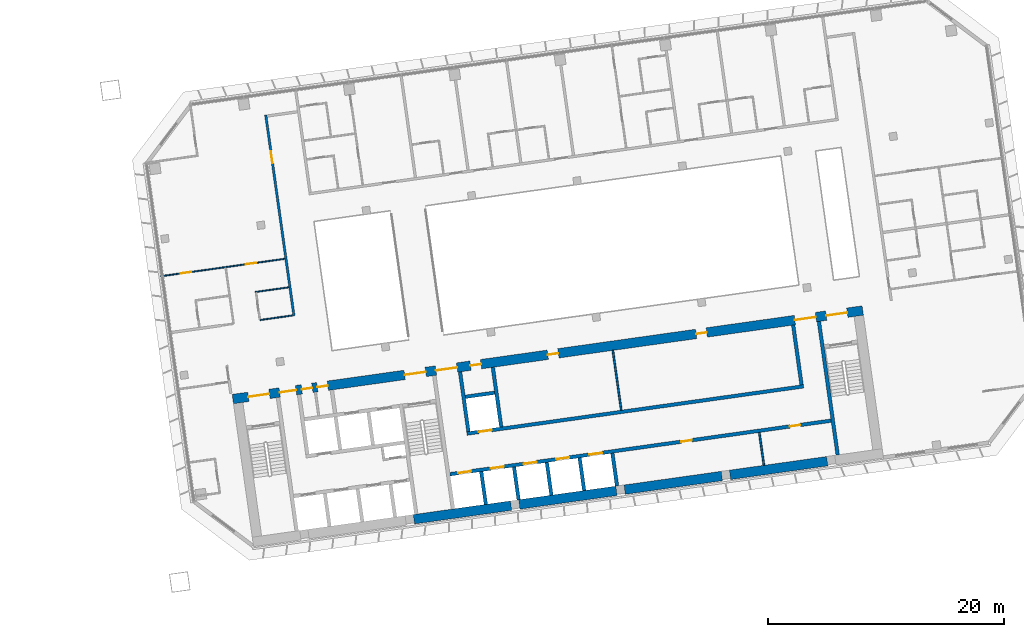
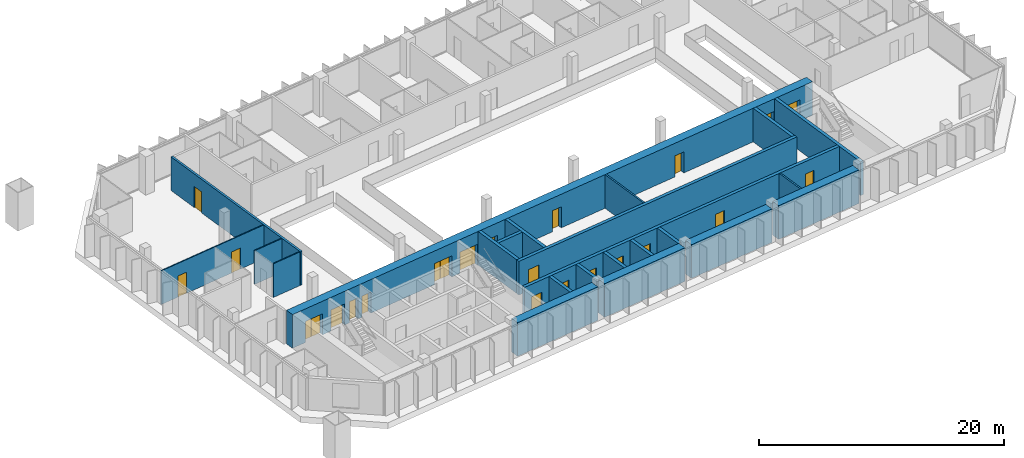
# One storey, part 19 of 25: 23 walls, 22 doors, 22 openings.
"""IFC4 building model written with IfcOpenShell, lengths in metres."""

import ifcopenshell
import ifcopenshell.guid

model = None  # the IFC model being written
_history = None  # IfcOwnerHistory: only IFC2X3 demands one
_inside = {}  # id of a spatial element -> (the spatial element, [elements in it])
_under = {}  # id of a project, library or spatial element -> (it, [spatial elements below it])
_declared = {}  # id of a project -> (the project, [libraries it declares])
_typed = {}  # id of a type object -> (the type object, [elements of that type])
_made_of = {}  # id of a material, layer set ... -> (it, [elements and type objects made of it])


def new_model(schema):
    """Start an empty IFC model of exactly this schema.

    Asked for "IFC4X3", IfcOpenShell would pick the latest addendum, in which some entities
    have other attributes; the version numbers below select the first issue.
    IFC2X3 requires an IfcOwnerHistory on every rooted entity: one is made here for all.
    """
    global model, _history
    if schema == "IFC4X3":
        model = ifcopenshell.file(schema_version=(4, 3, 0, 0))
    else:
        model = ifcopenshell.file(schema=schema)
    _inside.clear()
    _under.clear()
    _declared.clear()
    _typed.clear()
    _made_of.clear()
    _history = None
    if model.schema == "IFC2X3":
        org = make("IfcOrganization", Name="unknown")
        user = make(
            "IfcPersonAndOrganization",
            ThePerson=make("IfcPerson", FamilyName="unknown"),
            TheOrganization=org,
        )
        app = make(
            "IfcApplication",
            ApplicationDeveloper=org,
            Version="unknown",
            ApplicationFullName="unknown",
            ApplicationIdentifier="unknown",
        )
        _history = make(
            "IfcOwnerHistory",
            OwningUser=user,
            OwningApplication=app,
            ChangeAction="ADDED",
            CreationDate=0,
        )
    return model


def make(cls, **values):
    """One entity of the class cls with the attributes given. An attribute that is None is left unset."""
    return model.create_entity(
        cls, **{name: value for name, value in values.items() if value is not None}
    )


def rooted(cls, **values):
    """An entity with a GlobalId (a new one), such as an element, a storey or a relation."""
    return make(cls, GlobalId=ifcopenshell.guid.new(), OwnerHistory=_history, **values)


def si_unit(unit_type, name, prefix=None):
    """IfcSIUnit, for example si_unit("LENGTHUNIT", "METRE", prefix="MILLI")."""
    return make("IfcSIUnit", UnitType=unit_type, Prefix=prefix, Name=name)


def assignment(units):
    """IfcUnitAssignment: the units of a project."""
    return None if units is None else make("IfcUnitAssignment", Units=units)


def point(xyz):
    """IfcCartesianPoint."""
    return None if xyz is None else make("IfcCartesianPoint", Coordinates=xyz)


def direction(xyz):
    """IfcDirection."""
    return None if xyz is None else make("IfcDirection", DirectionRatios=xyz)


def frame(location, z_axis=None, x_axis=None):
    """IfcAxis2Placement3D, a coordinate frame: its origin and axes. An axis left out is left unset."""
    return make(
        "IfcAxis2Placement3D",
        Location=point(location),
        Axis=direction(z_axis),
        RefDirection=direction(x_axis),
    )


def frame_2d(location, x_axis=None):
    """IfcAxis2Placement2D, a coordinate frame in the plane: its origin and x axis."""
    return make(
        "IfcAxis2Placement2D", Location=point(location), RefDirection=direction(x_axis)
    )


def origin():
    """The frame at (0, 0, 0) with its axes left unset."""
    return frame((0.0, 0.0, 0.0))


def place(relative_to, where):
    """IfcLocalPlacement: puts the frame where relative to a parent placement (None: the world)."""
    return make(
        "IfcLocalPlacement", PlacementRelTo=relative_to, RelativePlacement=where
    )


def context(
    kind, dimensions, precision=None, world=None, true_north=None, identifier=None
):
    """IfcGeometricRepresentationContext, for example the 3D "Model" context."""
    return make(
        "IfcGeometricRepresentationContext",
        ContextIdentifier=identifier,
        ContextType=kind,
        CoordinateSpaceDimension=dimensions,
        Precision=precision,
        WorldCoordinateSystem=world,
        TrueNorth=true_north,
    )


def subcontext(parent, identifier, kind, view, scale=None):
    """IfcGeometricRepresentationSubContext, for example "Body" below "Model"."""
    return make(
        "IfcGeometricRepresentationSubContext",
        ContextIdentifier=identifier,
        ContextType=kind,
        ParentContext=parent,
        TargetScale=scale,
        TargetView=view,
    )


def project(units=None, contexts=None):
    """IfcProject with its units and contexts."""
    return rooted(
        "IfcProject",
        Name="project",
        RepresentationContexts=contexts,
        UnitsInContext=assignment(units),
    )


def spatial(cls, under=None, at=None, **own):
    """A site, building, storey or space (cls), placed at a placement, below another one or the project."""
    s = rooted(cls, ObjectPlacement=at, **own)
    if under is not None:
        _under.setdefault(under.id(), (under, []))[1].append(s)
    return s


def profile(cls, at=None, kind="AREA", **sizes):
    """A parametric profile (cls). Its sizes go by their IFC names, for example OverallWidth=200.0."""
    return make(cls, ProfileType=kind, Position=at, **sizes)


def rectangle(**sizes):
    """IfcRectangleProfileDef."""
    return profile("IfcRectangleProfileDef", **sizes)


def extrude(swept, where, along, depth):
    """IfcExtrudedAreaSolid: the profile swept, set in the frame where, extruded along a direction by depth."""
    return make(
        "IfcExtrudedAreaSolid",
        SweptArea=swept,
        Position=where,
        ExtrudedDirection=direction(along),
        Depth=depth,
    )


def shape(context_of_items, identifier, shape_type, items):
    """IfcShapeRepresentation: the items that make up one representation, for example the "Body"."""
    return make(
        "IfcShapeRepresentation",
        ContextOfItems=context_of_items,
        RepresentationIdentifier=identifier,
        RepresentationType=shape_type,
        Items=items,
    )


def material(Name=None, Category=None):
    """IfcMaterial."""
    return make("IfcMaterial", Name=Name, Category=Category)


def layer(
    of_material, thickness, ventilated=None, Name=None, Category=None, Priority=None
):
    """IfcMaterialLayer: one layer of a wall or slab, of a material (None: an air gap)."""
    return make(
        "IfcMaterialLayer",
        Material=of_material,
        LayerThickness=thickness,
        IsVentilated=ventilated,
        Name=Name,
        Category=Category,
        Priority=Priority,
    )


def layer_set(layers, Name=None):
    """IfcMaterialLayerSet."""
    return make("IfcMaterialLayerSet", MaterialLayers=layers, LayerSetName=Name)


def made_of(thing, what):
    """Note that an element or type object is made of a material, layer set ...; save() writes the relation."""
    if what is not None:
        _made_of.setdefault(what.id(), (what, []))[1].append(thing)
    return thing


def type_object(cls, material=None, **own):
    """A type object (cls), such as IfcWallType, which elements share."""
    return made_of(rooted(cls, **own), material)


def element(
    cls,
    number,
    at=None,
    inside=None,
    cuts=None,
    type_object=None,
    material=None,
    context=None,
    identifier="Body",
    shape_type=None,
    held_by="IfcProductDefinitionShape",
    body=None,
    shapes=None,
    **own,
):
    """One element of the class cls, such as IfcWall. Its Tag is "e" and its number.

    at: its placement. inside: the storey or other place that contains it. cuts: it is an
    opening in that element (IfcRelVoidsElement). A single representation is given by context,
    identifier, shape_type and body (its items); several are given by shapes. held_by: the class
    of the entity that holds the representations. save() writes the other relations.
    """
    e = rooted(cls, Tag="e%d" % number, ObjectPlacement=at, **own)
    if body is not None:
        shapes = [shape(context, identifier, shape_type, body)]
    if shapes is not None:
        e.Representation = make(held_by, Representations=shapes)
    if inside is not None:
        _inside.setdefault(inside.id(), (inside, []))[1].append(e)
    if cuts is not None:
        rooted(
            "IfcRelVoidsElement", RelatingBuildingElement=cuts, RelatedOpeningElement=e
        )
    if type_object is not None:
        _typed.setdefault(type_object.id(), (type_object, []))[1].append(e)
    return made_of(e, material)


def fill(opening, filler):
    """IfcRelFillsElement: the door or window that sits in an opening."""
    return rooted(
        "IfcRelFillsElement",
        RelatingOpeningElement=opening,
        RelatedBuildingElement=filler,
    )


def aggregate(whole, parts):
    """IfcRelAggregates: a whole, such as a stair, and the parts it consists of."""
    return rooted("IfcRelAggregates", RelatingObject=whole, RelatedObjects=parts)


def save(model, path):
    """Write the relations noted so far, then the file.

    IfcRelAggregates (storeys below a building ...), IfcRelContainedInSpatialStructure (elements
    in a storey), IfcRelDefinesByType, IfcRelAssociatesMaterial and IfcRelDeclares: one each for
    every whole, place, type object, material and project.
    """
    for whole, parts in _under.values():
        aggregate(whole, parts)
    for where, things in _inside.values():
        rooted(
            "IfcRelContainedInSpatialStructure",
            RelatedElements=things,
            RelatingStructure=where,
        )
    for kind, things in _typed.values():
        rooted("IfcRelDefinesByType", RelatedObjects=things, RelatingType=kind)
    for what, things in _made_of.values():
        rooted("IfcRelAssociatesMaterial", RelatedObjects=things, RelatingMaterial=what)
    for by, libraries in _declared.values():
        rooted("IfcRelDeclares", RelatingContext=by, RelatedDefinitions=libraries)
    model.write(path)


model = new_model("IFC4")

# Units and contexts
model_context = context("Model", 3, precision=1e-05, world=origin(), true_north=direction((0.0, 1.0)))
body_context = subcontext(model_context, "Body", "Model", "MODEL_VIEW")
ifc_project = project(units=[si_unit("LENGTHUNIT", "METRE"), si_unit("AREAUNIT", "SQUARE_METRE"), si_unit("VOLUMEUNIT", "CUBIC_METRE"), si_unit("PLANEANGLEUNIT", "RADIAN"), si_unit("MASSUNIT", "GRAM", prefix="KILO")], contexts=[model_context])

# Site, building, storey
site_placement = place(None, origin())
site = spatial("IfcSite", under=ifc_project, at=site_placement, CompositionType="ELEMENT")
building_placement = place(site_placement, origin())
building = spatial("IfcBuilding", under=site, at=building_placement, Name="Mirante Cascada Hotel Towers", CompositionType="ELEMENT")
storey_placement = place(building_placement, frame((0.0, 0.0, 102.5)))
storey = spatial("IfcBuildingStorey", under=building, at=storey_placement, Name="L22", CompositionType="ELEMENT", Elevation=102.5)

# Wall, opening, door
ifc_material_1 = material(Name="Fire-rated plasterboard on metal studs")
ifc_layer_1 = layer(ifc_material_1, 0.2)
ifc_layer_set_1 = layer_set([ifc_layer_1], Name="Compartment wall 200 EI 120")
wall_type_1 = type_object("IfcWallType", Name="Compartment wall 200 EI 120", PredefinedType="PARTITIONING", material=ifc_layer_set_1)
wall_1_placement = place(storey_placement, frame((38.216, 16.4227, 0.0), z_axis=(0.0, 0.0, 1.0), x_axis=(0.139172, -0.9902682, 0.0)))
wall_1 = element("IfcWall", 1, at=wall_1_placement, inside=storey, type_object=wall_type_1, Name="Wall 2-L22-38", PredefinedType="PARTITIONING", context=body_context, shape_type="SweptSolid", body=[
    extrude(rectangle(XDim=17.15, YDim=0.2, at=frame_2d((8.575, 0.0))), origin(), (0.0, 0.0, 1.0), 3.35),
])
opening_1_placement = place(wall_1_placement, frame((3.1, 0.0, 0.0)))
opening_1 = element("IfcOpeningElement", 2, at=opening_1_placement, cuts=wall_1, Name="Opening D2-L22-31", PredefinedType="OPENING", context=body_context, shape_type="SweptSolid", body=[
    extrude(rectangle(XDim=1.0, YDim=2.1, at=frame_2d((0.5, 1.05))), frame((0.0, 0.1, 0.0), z_axis=(0.0, -1.0, 0.0), x_axis=(1.0, 0.0, 0.0)), (0.0, 0.0, 1.0), 0.2),
])
ifc_material_2 = material(Name="Fire-rated timber door leaf", Category="wood")
door_type_1 = type_object("IfcDoorType", Name="Entrance door DG1 1000x2100 EI 60", OperationType="SINGLE_SWING_LEFT", PredefinedType="DOOR", material=ifc_material_2)
door_1_placement = place(opening_1_placement, frame((1.0, 0.0, 0.0), z_axis=(0.0, 0.0, 1.0), x_axis=(-1.0, 0.0, 0.0)))
door_1 = element("IfcDoor", 3, at=door_1_placement, inside=storey, type_object=door_type_1, Name="Door D2-L22-31", OperationType="SINGLE_SWING_RIGHT", OverallHeight=2.1, OverallWidth=1.0, PredefinedType="DOOR", context=body_context, shape_type="SweptSolid", body=[
    extrude(rectangle(XDim=1.0, YDim=2.1, at=frame_2d((0.5, 1.05))), frame((0.0, 0.025, 0.0), z_axis=(0.0, -1.0, 0.0), x_axis=(1.0, 0.0, 0.0)), (0.0, 0.0, 1.0), 0.05),
])
fill(opening_1, door_1)

# Walls
ifc_material_3 = material(Name="Masonry block", Category="masonry")
ifc_layer_2 = layer(ifc_material_3, 0.15)
ifc_layer_set_2 = layer_set([ifc_layer_2], Name="Core room partition 150 block EI 30")
wall_type_2 = type_object("IfcWallType", Name="Core room partition 150 block EI 30", PredefinedType="PARTITIONING", material=ifc_layer_set_2)
wall_2_placement = place(storey_placement, frame((80.349, -13.2018, 0.0), z_axis=(0.0, 0.0, 1.0), x_axis=(-0.139176, 0.9902677, 0.0)))
element("IfcWall", 4, at=wall_2_placement, inside=storey, type_object=wall_type_2, Name="Core wall partition T2 L22 5", PredefinedType="PARTITIONING", context=body_context, shape_type="SweptSolid", body=[
    extrude(rectangle(XDim=2.8001, YDim=0.15, at=frame_2d((1.4, 0.0))), origin(), (0.0, 0.0, 1.0), 3.35),
])
wall_3_placement = place(storey_placement, frame((68.2822, -8.5358, 0.0), z_axis=(0.0, 0.0, 1.0), x_axis=(-0.1391755, 0.9902677, 0.0)))
element("IfcWall", 5, at=wall_3_placement, inside=storey, type_object=wall_type_2, Name="Core wall partition T2 L22 6", PredefinedType="PARTITIONING", context=body_context, shape_type="SweptSolid", body=[
    extrude(rectangle(XDim=5.1, YDim=0.15, at=frame_2d((2.55, 0.0))), origin(), (0.0, 0.0, 1.0), 3.35),
])
ifc_material_4 = material(Name="Plasterboard on metal studs")
ifc_layer_3 = layer(ifc_material_4, 0.1)
ifc_layer_set_3 = layer_set([ifc_layer_3], Name="Partition 100")
wall_type_3 = type_object("IfcWallType", Name="Partition 100", PredefinedType="PARTITIONING", material=ifc_layer_set_3)
wall_4_placement = place(storey_placement, frame((40.4671, -0.5289, 0.0), z_axis=(0.0, 0.0, 1.0), x_axis=(-0.9902645, -0.1391984, 0.0)))
element("IfcWall", 6, at=wall_4_placement, inside=storey, type_object=wall_type_3, Name="Wall 2-L22-10", PredefinedType="PARTITIONING", context=body_context, shape_type="SweptSolid", body=[
    extrude(rectangle(XDim=2.74, YDim=0.1, at=frame_2d((1.37, 0.0))), origin(), (0.0, 0.0, 1.0), 3.35),
])
wall_5_placement = place(storey_placement, frame((37.3406, 1.4552, 0.0), z_axis=(0.0, 0.0, 1.0), x_axis=(0.9902649, 0.1391957, 0.0)))
element("IfcWall", 7, at=wall_5_placement, inside=storey, type_object=wall_type_3, Name="Wall 2-L22-13", PredefinedType="PARTITIONING", context=body_context, shape_type="SweptSolid", body=[
    extrude(rectangle(XDim=2.8499, YDim=0.1, at=frame_2d((1.425, 0.0))), origin(), (0.0, 0.0, 1.0), 3.35),
])

# Wall, openings, doors
wall_6_placement = place(storey_placement, frame((39.8242, 4.2615, 0.0), z_axis=(0.0, 0.0, 1.0), x_axis=(-0.9902686, -0.1391691, 0.0)))
wall_6 = element("IfcWall", 8, at=wall_6_placement, inside=storey, type_object=wall_type_3, Name="Wall 2-L22-16", PredefinedType="PARTITIONING", context=body_context, shape_type="SweptSolid", body=[
    extrude(rectangle(XDim=10.6001, YDim=0.1, at=frame_2d((5.3, 0.0))), origin(), (0.0, 0.0, 1.0), 3.35),
])
opening_2_placement = place(wall_6_placement, frame((7.975, 0.0, 0.0)))
opening_2 = element("IfcOpeningElement", 9, at=opening_2_placement, cuts=wall_6, Name="Opening D2-L22-05", PredefinedType="OPENING", context=body_context, shape_type="SweptSolid", body=[
    extrude(rectangle(XDim=0.9, YDim=2.1, at=frame_2d((0.45, 1.05))), frame((0.0, 0.05, 0.0), z_axis=(0.0, -1.0, 0.0), x_axis=(1.0, 0.0, 0.0)), (0.0, 0.0, 1.0), 0.1),
])
opening_3_placement = place(wall_6_placement, frame((2.425, 0.0, 0.0)))
opening_3 = element("IfcOpeningElement", 10, at=opening_3_placement, cuts=wall_6, Name="Opening D2-L22-06", PredefinedType="OPENING", context=body_context, shape_type="SweptSolid", body=[
    extrude(rectangle(XDim=0.9, YDim=2.1, at=frame_2d((0.45, 1.05))), frame((0.0, 0.05, 0.0), z_axis=(0.0, -1.0, 0.0), x_axis=(1.0, 0.0, 0.0)), (0.0, 0.0, 1.0), 0.1),
])
ifc_material_5 = material(Name="Timber door leaf", Category="wood")
door_type_2 = type_object("IfcDoorType", Name="Room door DG3 900x2100", OperationType="SINGLE_SWING_LEFT", PredefinedType="DOOR", material=ifc_material_5)
door_2_placement = place(opening_2_placement, frame((0.9, 0.0, 0.0), z_axis=(0.0, 0.0, 1.0), x_axis=(-1.0, 0.0, 0.0)))
door_2 = element("IfcDoor", 11, at=door_2_placement, inside=storey, type_object=door_type_2, Name="Door D2-L22-05", OperationType="SINGLE_SWING_RIGHT", OverallHeight=2.1, OverallWidth=0.9, PredefinedType="DOOR", context=body_context, shape_type="SweptSolid", body=[
    extrude(rectangle(XDim=0.9, YDim=2.1, at=frame_2d((0.45, 1.05))), frame((0.0, 0.025, 0.0), z_axis=(0.0, -1.0, 0.0), x_axis=(1.0, 0.0, 0.0)), (0.0, 0.0, 1.0), 0.05),
])
fill(opening_2, door_2)
door_3_placement = place(opening_3_placement, frame((0.9, 0.0, 0.0), z_axis=(0.0, 0.0, 1.0), x_axis=(-1.0, 0.0, 0.0)))
door_3 = element("IfcDoor", 12, at=door_3_placement, inside=storey, type_object=door_type_2, Name="Door D2-L22-06", OperationType="SINGLE_SWING_RIGHT", OverallHeight=2.1, OverallWidth=0.9, PredefinedType="DOOR", context=body_context, shape_type="SweptSolid", body=[
    extrude(rectangle(XDim=0.9, YDim=2.1, at=frame_2d((0.45, 1.05))), frame((0.0, 0.025, 0.0), z_axis=(0.0, -1.0, 0.0), x_axis=(1.0, 0.0, 0.0)), (0.0, 0.0, 1.0), 0.05),
])
fill(opening_3, door_3)

# Wall
ifc_material_6 = material(Name="Concrete C50/60", Category="concrete")
ifc_layer_4 = layer(ifc_material_6, 0.3)
ifc_layer_set_4 = layer_set([ifc_layer_4], Name="RC core wall 300 C50/60")
wall_type_4 = type_object("IfcWallType", Name="RC core wall 300 C50/60", PredefinedType="SHEAR", material=ifc_layer_set_4)
wall_7_placement = place(storey_placement, frame((86.5877, -12.325, 0.0), z_axis=(0.0, 0.0, 1.0), x_axis=(-0.1391749, 0.9902678, 0.0)))
element("IfcWall", 13, at=wall_7_placement, inside=storey, type_object=wall_type_4, Name="Core wall T2:L22:8", PredefinedType="SHEAR", context=body_context, shape_type="SweptSolid", body=[
    extrude(rectangle(XDim=11.4, YDim=0.3, at=frame_2d((5.7, 0.0))), origin(), (0.0, 0.0, 1.0), 3.35),
])

# Wall, openings, doors
wall_8_placement = place(storey_placement, frame((53.7953, -13.9547, 0.0), z_axis=(0.0, 0.0, 1.0), x_axis=(0.990268, 0.1391733, 0.0)))
wall_8 = element("IfcWall", 14, at=wall_8_placement, inside=storey, type_object=wall_type_4, Name="Core wall T2:L22:25", PredefinedType="SHEAR", context=body_context, shape_type="SweptSolid", body=[
    extrude(rectangle(XDim=32.5501, YDim=0.3, at=frame_2d((16.275, 0.0))), origin(), (0.0, 0.0, 1.0), 3.35),
])
opening_4_placement = place(wall_8_placement, frame((0.7, 0.0, 0.0)))
opening_4 = element("IfcOpeningElement", 15, at=opening_4_placement, cuts=wall_8, Name="Opening LD", PredefinedType="OPENING", context=body_context, shape_type="SweptSolid", body=[
    extrude(rectangle(XDim=1.1, YDim=2.1, at=frame_2d((0.55, 1.05))), frame((0.0, 0.15, 0.0), z_axis=(0.0, -1.0, 0.0), x_axis=(1.0, 0.0, 0.0)), (0.0, 0.0, 1.0), 0.3),
])
opening_5_placement = place(wall_8_placement, frame((3.5, 0.0, 0.0)))
opening_5 = element("IfcOpeningElement", 16, at=opening_5_placement, cuts=wall_8, Name="Opening LD", PredefinedType="OPENING", context=body_context, shape_type="SweptSolid", body=[
    extrude(rectangle(XDim=1.1, YDim=2.1, at=frame_2d((0.55, 1.05))), frame((0.0, 0.15, 0.0), z_axis=(0.0, -1.0, 0.0), x_axis=(1.0, 0.0, 0.0)), (0.0, 0.0, 1.0), 0.3),
])
opening_6_placement = place(wall_8_placement, frame((6.3, 0.0, 0.0)))
opening_6 = element("IfcOpeningElement", 17, at=opening_6_placement, cuts=wall_8, Name="Opening LD", PredefinedType="OPENING", context=body_context, shape_type="SweptSolid", body=[
    extrude(rectangle(XDim=1.1, YDim=2.1, at=frame_2d((0.55, 1.05))), frame((0.0, 0.15, 0.0), z_axis=(0.0, -1.0, 0.0), x_axis=(1.0, 0.0, 0.0)), (0.0, 0.0, 1.0), 0.3),
])
opening_7_placement = place(wall_8_placement, frame((9.1, 0.0, 0.0)))
opening_7 = element("IfcOpeningElement", 18, at=opening_7_placement, cuts=wall_8, Name="Opening LD", PredefinedType="OPENING", context=body_context, shape_type="SweptSolid", body=[
    extrude(rectangle(XDim=1.1, YDim=2.1, at=frame_2d((0.55, 1.05))), frame((0.0, 0.15, 0.0), z_axis=(0.0, -1.0, 0.0), x_axis=(1.0, 0.0, 0.0)), (0.0, 0.0, 1.0), 0.3),
])
opening_8_placement = place(wall_8_placement, frame((11.9, 0.0, 0.0)))
opening_8 = element("IfcOpeningElement", 19, at=opening_8_placement, cuts=wall_8, Name="Opening LD", PredefinedType="OPENING", context=body_context, shape_type="SweptSolid", body=[
    extrude(rectangle(XDim=1.1, YDim=2.1, at=frame_2d((0.55, 1.05))), frame((0.0, 0.15, 0.0), z_axis=(0.0, -1.0, 0.0), x_axis=(1.0, 0.0, 0.0)), (0.0, 0.0, 1.0), 0.3),
])
opening_9_placement = place(wall_8_placement, frame((19.75, 0.0, 0.0)))
opening_9 = element("IfcOpeningElement", 20, at=opening_9_placement, cuts=wall_8, Name="Opening D2-22-C26", PredefinedType="OPENING", context=body_context, shape_type="SweptSolid", body=[
    extrude(rectangle(XDim=0.9, YDim=2.1, at=frame_2d((0.45, 1.05))), frame((0.0, 0.15, 0.0), z_axis=(0.0, -1.0, 0.0), x_axis=(1.0, 0.0, 0.0)), (0.0, 0.0, 1.0), 0.3),
])
opening_10_placement = place(wall_8_placement, frame((29.025, 0.0, 0.0)))
opening_10 = element("IfcOpeningElement", 21, at=opening_10_placement, cuts=wall_8, Name="Opening D2-22-C27", PredefinedType="OPENING", context=body_context, shape_type="SweptSolid", body=[
    extrude(rectangle(XDim=0.9, YDim=2.1, at=frame_2d((0.45, 1.05))), frame((0.0, 0.15, 0.0), z_axis=(0.0, -1.0, 0.0), x_axis=(1.0, 0.0, 0.0)), (0.0, 0.0, 1.0), 0.3),
])
ifc_material_7 = material(Name="Hollow metal fire door leaf")
door_type_3 = type_object("IfcDoorType", Name="Fire door 900x2100 FD60", OperationType="NOTDEFINED", PredefinedType="DOOR", material=ifc_material_7)
door_4_placement = place(opening_9_placement, frame((0.9, 0.0, 0.0), z_axis=(0.0, 0.0, 1.0), x_axis=(-1.0, 0.0, 0.0)))
door_4 = element("IfcDoor", 22, at=door_4_placement, inside=storey, type_object=door_type_3, Name="Room door T2 L22 26", OperationType="SINGLE_SWING_RIGHT", OverallHeight=2.1, OverallWidth=0.9, PredefinedType="DOOR", context=body_context, shape_type="SweptSolid", body=[
    extrude(rectangle(XDim=0.9, YDim=2.1, at=frame_2d((0.45, 1.05))), frame((0.0, 0.025, 0.0), z_axis=(0.0, -1.0, 0.0), x_axis=(1.0, 0.0, 0.0)), (0.0, 0.0, 1.0), 0.05),
])
fill(opening_9, door_4)
door_5_placement = place(opening_10_placement, frame((0.9, 0.0, 0.0), z_axis=(0.0, 0.0, 1.0), x_axis=(-1.0, 0.0, 0.0)))
door_5 = element("IfcDoor", 23, at=door_5_placement, inside=storey, type_object=door_type_3, Name="Room door T2 L22 27", OperationType="SINGLE_SWING_RIGHT", OverallHeight=2.1, OverallWidth=0.9, PredefinedType="DOOR", context=body_context, shape_type="SweptSolid", body=[
    extrude(rectangle(XDim=0.9, YDim=2.1, at=frame_2d((0.45, 1.05))), frame((0.0, 0.025, 0.0), z_axis=(0.0, -1.0, 0.0), x_axis=(1.0, 0.0, 0.0)), (0.0, 0.0, 1.0), 0.05),
])
fill(opening_10, door_5)
ifc_material_8 = material(Name="Stainless steel", Category="steel")
door_type_4 = type_object("IfcDoorType", Name="Lift landing door 1100x2100 EI 120", OperationType="DOUBLE_DOOR_SLIDING", PredefinedType="DOOR", material=ifc_material_8)
door_6_placement = place(opening_4_placement, origin())
door_6 = element("IfcDoor", 24, at=door_6_placement, inside=storey, type_object=door_type_4, Name="Lift landing door LR2-1 L22", OperationType="DOUBLE_DOOR_SLIDING", OverallHeight=2.1, OverallWidth=1.1, PredefinedType="DOOR", context=body_context, shape_type="SweptSolid", body=[
    extrude(rectangle(XDim=0.545, YDim=2.1, at=frame_2d((0.2725, 1.05))), frame((0.0, 0.025, 0.0), z_axis=(0.0, -1.0, 0.0), x_axis=(1.0, 0.0, 0.0)), (0.0, 0.0, 1.0), 0.05),
    extrude(rectangle(XDim=0.545, YDim=2.1, at=frame_2d((0.8275, 1.05))), frame((0.0, 0.025, 0.0), z_axis=(0.0, -1.0, 0.0), x_axis=(1.0, 0.0, 0.0)), (0.0, 0.0, 1.0), 0.05),
])
fill(opening_4, door_6)
door_7_placement = place(opening_5_placement, origin())
door_7 = element("IfcDoor", 25, at=door_7_placement, inside=storey, type_object=door_type_4, Name="Lift landing door LR2-2 L22", OperationType="DOUBLE_DOOR_SLIDING", OverallHeight=2.1, OverallWidth=1.1, PredefinedType="DOOR", context=body_context, shape_type="SweptSolid", body=[
    extrude(rectangle(XDim=0.545, YDim=2.1, at=frame_2d((0.2725, 1.05))), frame((0.0, 0.025, 0.0), z_axis=(0.0, -1.0, 0.0), x_axis=(1.0, 0.0, 0.0)), (0.0, 0.0, 1.0), 0.05),
    extrude(rectangle(XDim=0.545, YDim=2.1, at=frame_2d((0.8275, 1.05))), frame((0.0, 0.025, 0.0), z_axis=(0.0, -1.0, 0.0), x_axis=(1.0, 0.0, 0.0)), (0.0, 0.0, 1.0), 0.05),
])
fill(opening_5, door_7)
door_8_placement = place(opening_6_placement, origin())
door_8 = element("IfcDoor", 26, at=door_8_placement, inside=storey, type_object=door_type_4, Name="Lift landing door SV2-1 L22", OperationType="DOUBLE_DOOR_SLIDING", OverallHeight=2.1, OverallWidth=1.1, PredefinedType="DOOR", context=body_context, shape_type="SweptSolid", body=[
    extrude(rectangle(XDim=0.545, YDim=2.1, at=frame_2d((0.2725, 1.05))), frame((0.0, 0.025, 0.0), z_axis=(0.0, -1.0, 0.0), x_axis=(1.0, 0.0, 0.0)), (0.0, 0.0, 1.0), 0.05),
    extrude(rectangle(XDim=0.545, YDim=2.1, at=frame_2d((0.8275, 1.05))), frame((0.0, 0.025, 0.0), z_axis=(0.0, -1.0, 0.0), x_axis=(1.0, 0.0, 0.0)), (0.0, 0.0, 1.0), 0.05),
])
fill(opening_6, door_8)
door_9_placement = place(opening_7_placement, origin())
door_9 = element("IfcDoor", 27, at=door_9_placement, inside=storey, type_object=door_type_4, Name="Lift landing door SV2-2 L22", OperationType="DOUBLE_DOOR_SLIDING", OverallHeight=2.1, OverallWidth=1.1, PredefinedType="DOOR", context=body_context, shape_type="SweptSolid", body=[
    extrude(rectangle(XDim=0.545, YDim=2.1, at=frame_2d((0.2725, 1.05))), frame((0.0, 0.025, 0.0), z_axis=(0.0, -1.0, 0.0), x_axis=(1.0, 0.0, 0.0)), (0.0, 0.0, 1.0), 0.05),
    extrude(rectangle(XDim=0.545, YDim=2.1, at=frame_2d((0.8275, 1.05))), frame((0.0, 0.025, 0.0), z_axis=(0.0, -1.0, 0.0), x_axis=(1.0, 0.0, 0.0)), (0.0, 0.0, 1.0), 0.05),
])
fill(opening_7, door_9)
door_10_placement = place(opening_8_placement, origin())
door_10 = element("IfcDoor", 28, at=door_10_placement, inside=storey, type_object=door_type_4, Name="Lift landing door SV2-3 L22", OperationType="DOUBLE_DOOR_SLIDING", OverallHeight=2.1, OverallWidth=1.1, PredefinedType="DOOR", context=body_context, shape_type="SweptSolid", body=[
    extrude(rectangle(XDim=0.545, YDim=2.1, at=frame_2d((0.2725, 1.05))), frame((0.0, 0.025, 0.0), z_axis=(0.0, -1.0, 0.0), x_axis=(1.0, 0.0, 0.0)), (0.0, 0.0, 1.0), 0.05),
    extrude(rectangle(XDim=0.545, YDim=2.1, at=frame_2d((0.8275, 1.05))), frame((0.0, 0.025, 0.0), z_axis=(0.0, -1.0, 0.0), x_axis=(1.0, 0.0, 0.0)), (0.0, 0.0, 1.0), 0.05),
])
fill(opening_8, door_10)

# Walls
for number, where, z_axis, x_axis, name in (
    (29, (56.8301, -16.5072, 0.0), (0.0, 0.0, 1.0), (-0.139176, 0.9902677, 0.0), "Core wall T2:L22:26"),
    (30, (59.6029, -16.1175, 0.0), (0.0, 0.0, 1.0), (-0.139176, 0.9902677, 0.0), "Core wall T2:L22:27"),
    (31, (62.3756, -15.7278, 0.0), (0.0, 0.0, 1.0), (-0.139176, 0.9902677, 0.0), "Core wall T2:L22:28"),
    (32, (65.1484, -15.3381, 0.0), (0.0, 0.0, 1.0), (-0.139176, 0.9902677, 0.0), "Core wall T2:L22:29"),
):
    element("IfcWall", number, at=place(storey_placement, frame(where, z_axis=z_axis, x_axis=x_axis)), inside=storey, type_object=wall_type_4, Name=name, PredefinedType="SHEAR", context=body_context, shape_type="SweptSolid", body=[
        extrude(rectangle(XDim=2.8001, YDim=0.3, at=frame_2d((1.4, 0.0))), origin(), (0.0, 0.0, 1.0), 3.35),
    ])
wall_9_placement = place(storey_placement, frame((67.9211, -14.9484, 0.0), z_axis=(0.0, 0.0, 1.0), x_axis=(-0.139181, 0.990267, 0.0)))
element("IfcWall", 33, at=wall_9_placement, inside=storey, type_object=wall_type_4, Name="Core wall T2:L22:30", PredefinedType="SHEAR", context=body_context, shape_type="SweptSolid", body=[
    extrude(rectangle(XDim=2.8, YDim=0.3, at=frame_2d((1.4, 0.0))), origin(), (0.0, 0.0, 1.0), 3.35),
])

# Wall, opening, door
wall_10_placement = place(storey_placement, frame((55.2315, -10.5214, 0.0), z_axis=(0.0, 0.0, 1.0), x_axis=(0.9902682, 0.1391722, 0.0)))
wall_10 = element("IfcWall", 34, at=wall_10_placement, inside=storey, type_object=wall_type_4, Name="Core wall T2:L22:32", PredefinedType="SHEAR", context=body_context, shape_type="SweptSolid", body=[
    extrude(rectangle(XDim=28.75, YDim=0.3, at=frame_2d((14.375, 0.0))), origin(), (0.0, 0.0, 1.0), 3.35),
])
opening_11_placement = place(wall_10_placement, frame((1.0, 0.0, 0.0)))
opening_11 = element("IfcOpeningElement", 35, at=opening_11_placement, cuts=wall_10, Name="Opening LD", PredefinedType="OPENING", context=body_context, shape_type="SweptSolid", body=[
    extrude(rectangle(XDim=1.1, YDim=2.1, at=frame_2d((0.55, 1.05))), frame((0.0, 0.15, 0.0), z_axis=(0.0, -1.0, 0.0), x_axis=(1.0, 0.0, 0.0)), (0.0, 0.0, 1.0), 0.3),
])
door_11_placement = place(opening_11_placement, origin())
door_11 = element("IfcDoor", 36, at=door_11_placement, inside=storey, type_object=door_type_4, Name="Lift landing door LR2-3 L22", OperationType="DOUBLE_DOOR_SLIDING", OverallHeight=2.1, OverallWidth=1.1, PredefinedType="DOOR", context=body_context, shape_type="SweptSolid", body=[
    extrude(rectangle(XDim=0.545, YDim=2.1, at=frame_2d((0.2725, 1.05))), frame((0.0, 0.025, 0.0), z_axis=(0.0, -1.0, 0.0), x_axis=(1.0, 0.0, 0.0)), (0.0, 0.0, 1.0), 0.05),
    extrude(rectangle(XDim=0.545, YDim=2.1, at=frame_2d((0.8275, 1.05))), frame((0.0, 0.025, 0.0), z_axis=(0.0, -1.0, 0.0), x_axis=(1.0, 0.0, 0.0)), (0.0, 0.0, 1.0), 0.05),
])
fill(opening_11, door_11)

# Walls
for number, where, z_axis, x_axis, name in (
    (37, (55.3592, -10.352, 0.0), (0.0, 0.0, 1.0), (-0.1391755, 0.9902677, 0.0), "Core wall T2:L22:33"),
    (38, (83.5323, -6.3925, 0.0), (0.0, 0.0, 1.0), (-0.1391755, 0.9902677, 0.0), "Core wall T2:L22:34"),
    (39, (58.1319, -9.9623, 0.0), (0.0, 0.0, 1.0), (-0.1391755, 0.9902677, 0.0), "Core wall T2:L22:35"),
):
    element("IfcWall", number, at=place(storey_placement, frame(where, z_axis=z_axis, x_axis=x_axis)), inside=storey, type_object=wall_type_4, Name=name, PredefinedType="SHEAR", context=body_context, shape_type="SweptSolid", body=[
        extrude(rectangle(XDim=5.1, YDim=0.3, at=frame_2d((2.55, 0.0))), origin(), (0.0, 0.0, 1.0), 3.35),
    ])
wall_11_placement = place(storey_placement, frame((55.0971, -7.4098, 0.0), z_axis=(0.0, 0.0, 1.0), x_axis=(0.9902701, 0.1391586, 0.0)))
element("IfcWall", 40, at=wall_11_placement, inside=storey, type_object=wall_type_4, Name="Core wall T2:L22:36", PredefinedType="SHEAR", context=body_context, shape_type="SweptSolid", body=[
    extrude(rectangle(XDim=2.5, YDim=0.3, at=frame_2d((1.25, 0.0))), origin(), (0.0, 0.0, 1.0), 3.35),
])
ifc_material_9 = material(Name="Concrete C50/60", Category="concrete")
ifc_layer_5 = layer(ifc_material_9, 0.8)
ifc_layer_set_5 = layer_set([ifc_layer_5], Name="RC core wall 800 C50/60")
wall_type_5 = type_object("IfcWallType", Name="RC core wall 800 C50/60", PredefinedType="SHEAR", material=ifc_layer_set_5)
wall_12_placement = place(storey_placement, frame((50.7461, -17.7661, 0.0), z_axis=(0.0, 0.0, 1.0), x_axis=(0.9902686, 0.1391692, 0.0)))
element("IfcWall", 41, at=wall_12_placement, inside=storey, type_object=wall_type_5, Name="Core wall T2:L22:1.3", PredefinedType="SHEAR", context=body_context, shape_type="SweptSolid", body=[
    extrude(rectangle(XDim=8.3, YDim=0.8, at=frame_2d((4.15, 0.0))), origin(), (0.0, 0.0, 1.0), 3.35),
])
for number, where, z_axis, x_axis, name in (
    (42, (59.6585, -16.5136, 0.0), (0.0, 0.0, 1.0), (0.9902672, 0.1391793, 0.0), "Core wall T2:L22:1.4"),
    (43, (68.5709, -15.261, 0.0), (0.0, 0.0, 1.0), (0.9902689, 0.1391675, 0.0), "Core wall T2:L22:1.5"),
):
    element("IfcWall", number, at=place(storey_placement, frame(where, z_axis=z_axis, x_axis=x_axis)), inside=storey, type_object=wall_type_5, Name=name, PredefinedType="SHEAR", context=body_context, shape_type="SweptSolid", body=[
        extrude(rectangle(XDim=8.3001, YDim=0.8, at=frame_2d((4.15, 0.0))), origin(), (0.0, 0.0, 1.0), 3.35),
    ])
wall_13_placement = place(storey_placement, frame((77.4834, -14.0085, 0.0), z_axis=(0.0, 0.0, 1.0), x_axis=(0.990267, 0.139181, 0.0)))
element("IfcWall", 44, at=wall_13_placement, inside=storey, type_object=wall_type_5, Name="Core wall T2:L22:1.6", PredefinedType="SHEAR", context=body_context, shape_type="SweptSolid", body=[
    extrude(rectangle(XDim=8.3, YDim=0.8, at=frame_2d((4.15, 0.0))), origin(), (0.0, 0.0, 1.0), 3.35),
])

# Wall, openings, doors
wall_14_placement = place(storey_placement, frame((35.432, -7.5985, 0.0), z_axis=(0.0, 0.0, 1.0), x_axis=(0.9902681, 0.1391729, 0.0)))
wall_14 = element("IfcWall", 45, at=wall_14_placement, inside=storey, type_object=wall_type_5, Name="Core wall T2:L22:2", PredefinedType="SHEAR", context=body_context, shape_type="SweptSolid", body=[
    extrude(rectangle(XDim=53.8, YDim=0.8, at=frame_2d((26.9, 0.0))), origin(), (0.0, 0.0, 1.0), 3.35),
])
opening_12_placement = place(wall_14_placement, frame((1.325, 0.0, 0.0)))
opening_12 = element("IfcOpeningElement", 46, at=opening_12_placement, cuts=wall_14, Name="Opening D2-22-C14", PredefinedType="OPENING", context=body_context, shape_type="SweptSolid", body=[
    extrude(rectangle(XDim=1.8, YDim=2.1, at=frame_2d((0.9, 1.05))), frame((0.0, 0.4, 0.0), z_axis=(0.0, -1.0, 0.0), x_axis=(1.0, 0.0, 0.0)), (0.0, 0.0, 1.0), 0.8),
])
opening_13_placement = place(wall_14_placement, frame((14.675, 0.0, 0.0)))
opening_13 = element("IfcOpeningElement", 47, at=opening_13_placement, cuts=wall_14, Name="Opening D2-22-C16", PredefinedType="OPENING", context=body_context, shape_type="SweptSolid", body=[
    extrude(rectangle(XDim=1.8, YDim=2.1, at=frame_2d((0.9, 1.05))), frame((0.0, 0.4, 0.0), z_axis=(0.0, -1.0, 0.0), x_axis=(1.0, 0.0, 0.0)), (0.0, 0.0, 1.0), 0.8),
])
opening_14_placement = place(wall_14_placement, frame((50.675, 0.0, 0.0)))
opening_14 = element("IfcOpeningElement", 48, at=opening_14_placement, cuts=wall_14, Name="Opening D2-22-C18", PredefinedType="OPENING", context=body_context, shape_type="SweptSolid", body=[
    extrude(rectangle(XDim=1.8, YDim=2.1, at=frame_2d((0.9, 1.05))), frame((0.0, 0.4, 0.0), z_axis=(0.0, -1.0, 0.0), x_axis=(1.0, 0.0, 0.0)), (0.0, 0.0, 1.0), 0.8),
])
opening_15_placement = place(wall_14_placement, frame((4.0, 0.0, 0.0)))
opening_15 = element("IfcOpeningElement", 49, at=opening_15_placement, cuts=wall_14, Name="Opening D2-22-C19", PredefinedType="OPENING", context=body_context, shape_type="SweptSolid", body=[
    extrude(rectangle(XDim=1.4, YDim=2.1, at=frame_2d((0.7, 1.05))), frame((0.0, 0.4, 0.0), z_axis=(0.0, -1.0, 0.0), x_axis=(1.0, 0.0, 0.0)), (0.0, 0.0, 1.0), 0.8),
])
opening_16_placement = place(wall_14_placement, frame((17.35, 0.0, 0.0)))
opening_16 = element("IfcOpeningElement", 50, at=opening_16_placement, cuts=wall_14, Name="Opening D2-22-C20", PredefinedType="OPENING", context=body_context, shape_type="SweptSolid", body=[
    extrude(rectangle(XDim=1.8, YDim=2.1, at=frame_2d((0.9, 1.05))), frame((0.0, 0.4, 0.0), z_axis=(0.0, -1.0, 0.0), x_axis=(1.0, 0.0, 0.0)), (0.0, 0.0, 1.0), 0.8),
])
opening_17_placement = place(wall_14_placement, frame((48.0, 0.0, 0.0)))
opening_17 = element("IfcOpeningElement", 51, at=opening_17_placement, cuts=wall_14, Name="Opening D2-22-C21", PredefinedType="OPENING", context=body_context, shape_type="SweptSolid", body=[
    extrude(rectangle(XDim=1.8, YDim=2.1, at=frame_2d((0.9, 1.05))), frame((0.0, 0.4, 0.0), z_axis=(0.0, -1.0, 0.0), x_axis=(1.0, 0.0, 0.0)), (0.0, 0.0, 1.0), 0.8),
])
opening_18_placement = place(wall_14_placement, frame((5.8875, 0.0, 0.0)))
opening_18 = element("IfcOpeningElement", 52, at=opening_18_placement, cuts=wall_14, Name="Opening D2-22-C24", PredefinedType="OPENING", context=body_context, shape_type="SweptSolid", body=[
    extrude(rectangle(XDim=0.9, YDim=2.1, at=frame_2d((0.45, 1.05))), frame((0.0, 0.4, 0.0), z_axis=(0.0, -1.0, 0.0), x_axis=(1.0, 0.0, 0.0)), (0.0, 0.0, 1.0), 0.8),
])
opening_19_placement = place(wall_14_placement, frame((7.2125, 0.0, 0.0)))
opening_19 = element("IfcOpeningElement", 53, at=opening_19_placement, cuts=wall_14, Name="Opening D2-22-C25", PredefinedType="OPENING", context=body_context, shape_type="SweptSolid", body=[
    extrude(rectangle(XDim=0.9, YDim=2.1, at=frame_2d((0.45, 1.05))), frame((0.0, 0.4, 0.0), z_axis=(0.0, -1.0, 0.0), x_axis=(1.0, 0.0, 0.0)), (0.0, 0.0, 1.0), 0.8),
])
opening_20_placement = place(wall_14_placement, frame((20.3, 0.0, 0.0)))
opening_20 = element("IfcOpeningElement", 54, at=opening_20_placement, cuts=wall_14, Name="Opening D2-22-C28", PredefinedType="OPENING", context=body_context, shape_type="SweptSolid", body=[
    extrude(rectangle(XDim=0.9, YDim=2.1, at=frame_2d((0.45, 1.05))), frame((0.0, 0.4, 0.0), z_axis=(0.0, -1.0, 0.0), x_axis=(1.0, 0.0, 0.0)), (0.0, 0.0, 1.0), 0.8),
])
opening_21_placement = place(wall_14_placement, frame((26.9, 0.0, 0.0)))
opening_21 = element("IfcOpeningElement", 55, at=opening_21_placement, cuts=wall_14, Name="Opening D2-22-C29", PredefinedType="OPENING", context=body_context, shape_type="SweptSolid", body=[
    extrude(rectangle(XDim=0.9, YDim=2.1, at=frame_2d((0.45, 1.05))), frame((0.0, 0.4, 0.0), z_axis=(0.0, -1.0, 0.0), x_axis=(1.0, 0.0, 0.0)), (0.0, 0.0, 1.0), 0.8),
])
opening_22_placement = place(wall_14_placement, frame((39.575, 0.0, 0.0)))
opening_22 = element("IfcOpeningElement", 56, at=opening_22_placement, cuts=wall_14, Name="Opening D2-22-C30", PredefinedType="OPENING", context=body_context, shape_type="SweptSolid", body=[
    extrude(rectangle(XDim=0.9, YDim=2.1, at=frame_2d((0.45, 1.05))), frame((0.0, 0.4, 0.0), z_axis=(0.0, -1.0, 0.0), x_axis=(1.0, 0.0, 0.0)), (0.0, 0.0, 1.0), 0.8),
])
ifc_material_10 = material(Name="Hollow metal fire door leaf")
door_type_5 = type_object("IfcDoorType", Name="Double fire door 1400x2100 FD60", OperationType="DOUBLE_DOOR_SINGLE_SWING", PredefinedType="DOOR", material=ifc_material_10)
door_12_placement = place(opening_15_placement, origin())
door_12 = element("IfcDoor", 57, at=door_12_placement, inside=storey, type_object=door_type_5, Name="Exit door to gallery T2 L22 19", OperationType="DOUBLE_DOOR_SINGLE_SWING", OverallHeight=2.1, OverallWidth=1.4, PredefinedType="DOOR", context=body_context, shape_type="SweptSolid", body=[
    extrude(rectangle(XDim=0.695, YDim=2.1, at=frame_2d((0.3475, 1.05))), frame((0.0, 0.025, 0.0), z_axis=(0.0, -1.0, 0.0), x_axis=(1.0, 0.0, 0.0)), (0.0, 0.0, 1.0), 0.05),
    extrude(rectangle(XDim=0.695, YDim=2.1, at=frame_2d((1.0525, 1.05))), frame((0.0, 0.025, 0.0), z_axis=(0.0, -1.0, 0.0), x_axis=(1.0, 0.0, 0.0)), (0.0, 0.0, 1.0), 0.05),
])
fill(opening_15, door_12)
ifc_material_11 = material(Name="Hollow metal fire door leaf")
door_type_6 = type_object("IfcDoorType", Name="Double fire door 1800x2100 FD60", OperationType="DOUBLE_DOOR_SINGLE_SWING", PredefinedType="DOOR", material=ifc_material_11)
door_13_placement = place(opening_12_placement, frame((1.8, 0.0, 0.0), z_axis=(0.0, 0.0, 1.0), x_axis=(-1.0, 0.0, 0.0)))
door_13 = element("IfcDoor", 58, at=door_13_placement, inside=storey, type_object=door_type_6, Name="Exit door to gallery T2 L22 14", OperationType="DOUBLE_DOOR_SINGLE_SWING", OverallHeight=2.1, OverallWidth=1.8, PredefinedType="DOOR", context=body_context, shape_type="SweptSolid", body=[
    extrude(rectangle(XDim=0.895, YDim=2.1, at=frame_2d((0.4475, 1.05))), frame((0.0, 0.025, 0.0), z_axis=(0.0, -1.0, 0.0), x_axis=(1.0, 0.0, 0.0)), (0.0, 0.0, 1.0), 0.05),
    extrude(rectangle(XDim=0.895, YDim=2.1, at=frame_2d((1.3525, 1.05))), frame((0.0, 0.025, 0.0), z_axis=(0.0, -1.0, 0.0), x_axis=(1.0, 0.0, 0.0)), (0.0, 0.0, 1.0), 0.05),
])
fill(opening_12, door_13)
door_14_placement = place(opening_13_placement, frame((1.8, 0.0, 0.0), z_axis=(0.0, 0.0, 1.0), x_axis=(-1.0, 0.0, 0.0)))
door_14 = element("IfcDoor", 59, at=door_14_placement, inside=storey, type_object=door_type_6, Name="Exit door to gallery T2 L22 16", OperationType="DOUBLE_DOOR_SINGLE_SWING", OverallHeight=2.1, OverallWidth=1.8, PredefinedType="DOOR", context=body_context, shape_type="SweptSolid", body=[
    extrude(rectangle(XDim=0.895, YDim=2.1, at=frame_2d((0.4475, 1.05))), frame((0.0, 0.025, 0.0), z_axis=(0.0, -1.0, 0.0), x_axis=(1.0, 0.0, 0.0)), (0.0, 0.0, 1.0), 0.05),
    extrude(rectangle(XDim=0.895, YDim=2.1, at=frame_2d((1.3525, 1.05))), frame((0.0, 0.025, 0.0), z_axis=(0.0, -1.0, 0.0), x_axis=(1.0, 0.0, 0.0)), (0.0, 0.0, 1.0), 0.05),
])
fill(opening_13, door_14)
door_15_placement = place(opening_14_placement, frame((1.8, 0.0, 0.0), z_axis=(0.0, 0.0, 1.0), x_axis=(-1.0, 0.0, 0.0)))
door_15 = element("IfcDoor", 60, at=door_15_placement, inside=storey, type_object=door_type_6, Name="Exit door to gallery T2 L22 18", OperationType="DOUBLE_DOOR_SINGLE_SWING", OverallHeight=2.1, OverallWidth=1.8, PredefinedType="DOOR", context=body_context, shape_type="SweptSolid", body=[
    extrude(rectangle(XDim=0.895, YDim=2.1, at=frame_2d((0.4475, 1.05))), frame((0.0, 0.025, 0.0), z_axis=(0.0, -1.0, 0.0), x_axis=(1.0, 0.0, 0.0)), (0.0, 0.0, 1.0), 0.05),
    extrude(rectangle(XDim=0.895, YDim=2.1, at=frame_2d((1.3525, 1.05))), frame((0.0, 0.025, 0.0), z_axis=(0.0, -1.0, 0.0), x_axis=(1.0, 0.0, 0.0)), (0.0, 0.0, 1.0), 0.05),
])
fill(opening_14, door_15)
door_16_placement = place(opening_16_placement, origin())
door_16 = element("IfcDoor", 61, at=door_16_placement, inside=storey, type_object=door_type_6, Name="Exit door to gallery T2 L22 20", OperationType="DOUBLE_DOOR_SINGLE_SWING", OverallHeight=2.1, OverallWidth=1.8, PredefinedType="DOOR", context=body_context, shape_type="SweptSolid", body=[
    extrude(rectangle(XDim=0.895, YDim=2.1, at=frame_2d((0.4475, 1.05))), frame((0.0, 0.025, 0.0), z_axis=(0.0, -1.0, 0.0), x_axis=(1.0, 0.0, 0.0)), (0.0, 0.0, 1.0), 0.05),
    extrude(rectangle(XDim=0.895, YDim=2.1, at=frame_2d((1.3525, 1.05))), frame((0.0, 0.025, 0.0), z_axis=(0.0, -1.0, 0.0), x_axis=(1.0, 0.0, 0.0)), (0.0, 0.0, 1.0), 0.05),
])
fill(opening_16, door_16)
door_17_placement = place(opening_17_placement, origin())
door_17 = element("IfcDoor", 62, at=door_17_placement, inside=storey, type_object=door_type_6, Name="Exit door to gallery T2 L22 21", OperationType="DOUBLE_DOOR_SINGLE_SWING", OverallHeight=2.1, OverallWidth=1.8, PredefinedType="DOOR", context=body_context, shape_type="SweptSolid", body=[
    extrude(rectangle(XDim=0.895, YDim=2.1, at=frame_2d((0.4475, 1.05))), frame((0.0, 0.025, 0.0), z_axis=(0.0, -1.0, 0.0), x_axis=(1.0, 0.0, 0.0)), (0.0, 0.0, 1.0), 0.05),
    extrude(rectangle(XDim=0.895, YDim=2.1, at=frame_2d((1.3525, 1.05))), frame((0.0, 0.025, 0.0), z_axis=(0.0, -1.0, 0.0), x_axis=(1.0, 0.0, 0.0)), (0.0, 0.0, 1.0), 0.05),
])
fill(opening_17, door_17)
door_18_placement = place(opening_18_placement, frame((0.9, 0.0, 0.0), z_axis=(0.0, 0.0, 1.0), x_axis=(-1.0, 0.0, 0.0)))
door_18 = element("IfcDoor", 63, at=door_18_placement, inside=storey, type_object=door_type_3, Name="Room door T2 L22 24", OperationType="SINGLE_SWING_LEFT", OverallHeight=2.1, OverallWidth=0.9, PredefinedType="DOOR", context=body_context, shape_type="SweptSolid", body=[
    extrude(rectangle(XDim=0.9, YDim=2.1, at=frame_2d((0.45, 1.05))), frame((0.0, 0.025, 0.0), z_axis=(0.0, -1.0, 0.0), x_axis=(1.0, 0.0, 0.0)), (0.0, 0.0, 1.0), 0.05),
])
fill(opening_18, door_18)
door_19_placement = place(opening_19_placement, frame((0.9, 0.0, 0.0), z_axis=(0.0, 0.0, 1.0), x_axis=(-1.0, 0.0, 0.0)))
door_19 = element("IfcDoor", 64, at=door_19_placement, inside=storey, type_object=door_type_3, Name="Room door T2 L22 25", OperationType="SINGLE_SWING_LEFT", OverallHeight=2.1, OverallWidth=0.9, PredefinedType="DOOR", context=body_context, shape_type="SweptSolid", body=[
    extrude(rectangle(XDim=0.9, YDim=2.1, at=frame_2d((0.45, 1.05))), frame((0.0, 0.025, 0.0), z_axis=(0.0, -1.0, 0.0), x_axis=(1.0, 0.0, 0.0)), (0.0, 0.0, 1.0), 0.05),
])
fill(opening_19, door_19)
door_20_placement = place(opening_20_placement, frame((0.9, 0.0, 0.0), z_axis=(0.0, 0.0, 1.0), x_axis=(-1.0, 0.0, 0.0)))
door_20 = element("IfcDoor", 65, at=door_20_placement, inside=storey, type_object=door_type_3, Name="Room door T2 L22 28", OperationType="SINGLE_SWING_LEFT", OverallHeight=2.1, OverallWidth=0.9, PredefinedType="DOOR", context=body_context, shape_type="SweptSolid", body=[
    extrude(rectangle(XDim=0.9, YDim=2.1, at=frame_2d((0.45, 1.05))), frame((0.0, 0.025, 0.0), z_axis=(0.0, -1.0, 0.0), x_axis=(1.0, 0.0, 0.0)), (0.0, 0.0, 1.0), 0.05),
])
fill(opening_20, door_20)
door_21_placement = place(opening_21_placement, frame((0.9, 0.0, 0.0), z_axis=(0.0, 0.0, 1.0), x_axis=(-1.0, 0.0, 0.0)))
door_21 = element("IfcDoor", 66, at=door_21_placement, inside=storey, type_object=door_type_3, Name="Room door T2 L22 29", OperationType="SINGLE_SWING_RIGHT", OverallHeight=2.1, OverallWidth=0.9, PredefinedType="DOOR", context=body_context, shape_type="SweptSolid", body=[
    extrude(rectangle(XDim=0.9, YDim=2.1, at=frame_2d((0.45, 1.05))), frame((0.0, 0.025, 0.0), z_axis=(0.0, -1.0, 0.0), x_axis=(1.0, 0.0, 0.0)), (0.0, 0.0, 1.0), 0.05),
])
fill(opening_21, door_21)
door_22_placement = place(opening_22_placement, frame((0.9, 0.0, 0.0), z_axis=(0.0, 0.0, 1.0), x_axis=(-1.0, 0.0, 0.0)))
door_22 = element("IfcDoor", 67, at=door_22_placement, inside=storey, type_object=door_type_3, Name="Room door T2 L22 30", OperationType="SINGLE_SWING_RIGHT", OverallHeight=2.1, OverallWidth=0.9, PredefinedType="DOOR", context=body_context, shape_type="SweptSolid", body=[
    extrude(rectangle(XDim=0.9, YDim=2.1, at=frame_2d((0.45, 1.05))), frame((0.0, 0.025, 0.0), z_axis=(0.0, -1.0, 0.0), x_axis=(1.0, 0.0, 0.0)), (0.0, 0.0, 1.0), 0.05),
])
fill(opening_22, door_22)

save(model, "model.ifc")
